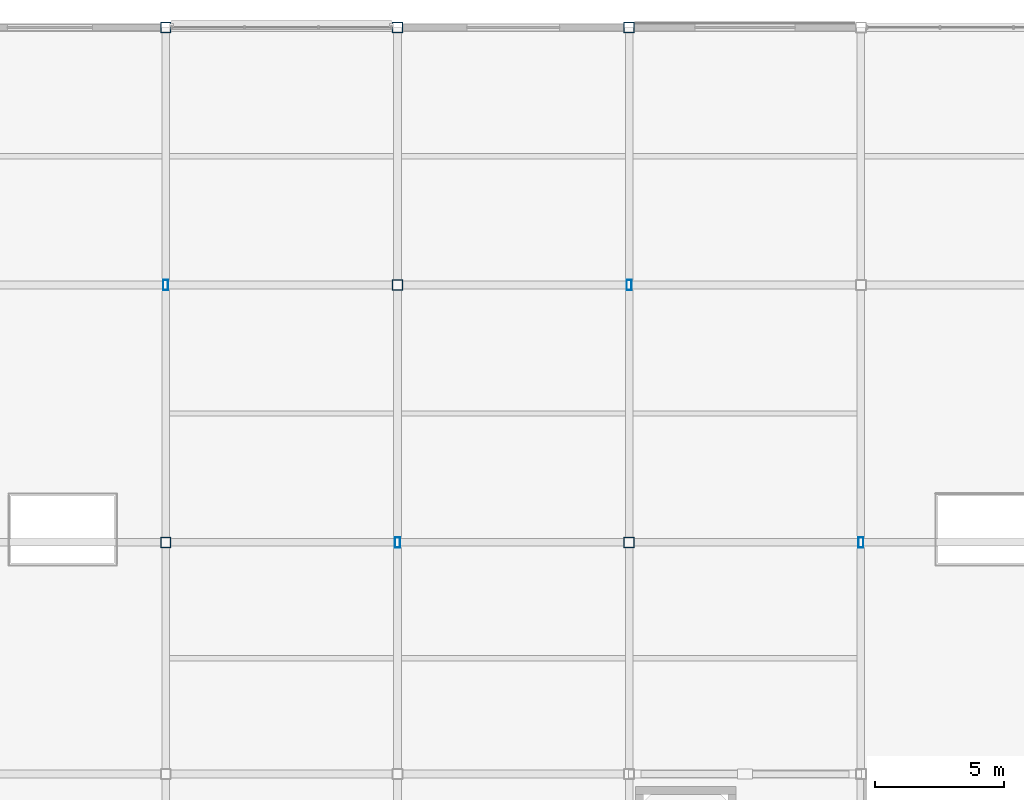
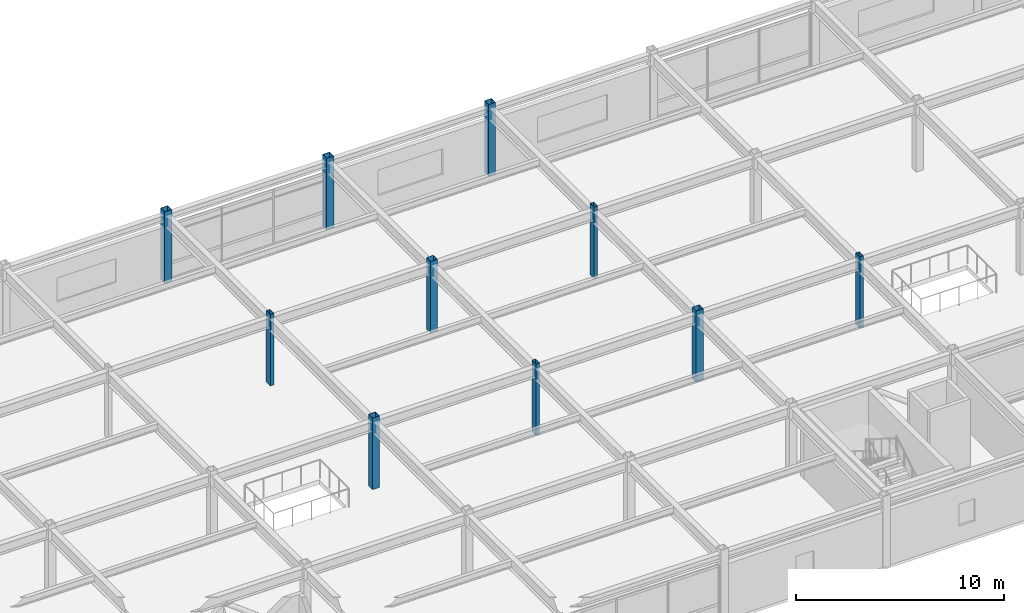
# One storey, part 15 of 108: 10 columns.
"""IFC4 building model written with IfcOpenShell, lengths in metres."""

from ifc_helpers import new_model, si_unit, direction, frame, origin, origin_2d, place, context, subcontext, project, spatial, hollow_rectangle, extrude, material, material_profile, profile_set, type_object, element, save


model = new_model("IFC4")

# Units and contexts
model_context = context("Model", 3, precision=1e-05, world=origin(), true_north=direction((0.0, 1.0)))
body_context = subcontext(model_context, "Body", "Model", "MODEL_VIEW")
ifc_project = project(units=[si_unit("LENGTHUNIT", "METRE"), si_unit("AREAUNIT", "SQUARE_METRE"), si_unit("VOLUMEUNIT", "CUBIC_METRE"), si_unit("PLANEANGLEUNIT", "RADIAN"), si_unit("MASSUNIT", "GRAM", prefix="KILO")], contexts=[model_context])

# Site, building, storey
site_placement = place(None, origin())
site = spatial("IfcSite", under=ifc_project, at=site_placement, CompositionType="ELEMENT")
building_placement = place(site_placement, origin())
building = spatial("IfcBuilding", under=site, at=building_placement, Name="Suzunagisa Mobility Hub", CompositionType="ELEMENT")
storey_placement = place(building_placement, frame((0.0, 0.0, 9.300048828125)))
storey = spatial("IfcBuildingStorey", under=building, at=storey_placement, Name="L02", CompositionType="ELEMENT", Elevation=9.300048828125)

# Columns
ifc_material = material(Name="Steel SN490B", Category="steel")
ifc_material_profile_1 = material_profile(ifc_material, hollow_rectangle(XDim=0.199951171875, YDim=0.39990234375, WallThickness=0.011962890625, at=origin_2d()), Name="RHS-400x200x12")
ifc_profile_set_1 = profile_set([ifc_material_profile_1], Name="Steel SN490B")
column_type_1 = type_object("IfcColumnType", Name="Steel Column CL-03 RHS-400x200x12", PredefinedType="COLUMN", material=ifc_profile_set_1)
for number, where, z_axis, x_axis, name in (
    (1, (72.0, 108.0, 0.0), (0.0, 0.0, 1.0), (1.0, 0.0, 0.0), "L02 Column 157"),
    (2, (81.0, 98.0, 0.0), (0.0, 0.0, 1.0), (1.0, 0.0, 0.0), "L02 Column 173"),
    (3, (90.0, 108.0, 0.0), (0.0, 0.0, 1.0), (1.0, 0.0, 0.0), "L02 Column 189"),
    (4, (99.0, 98.0, 0.0), (0.0, 0.0, 1.0), (1.0, 0.0, 0.0), "L02 Column 197"),
):
    element("IfcColumn", number, at=place(storey_placement, frame(where, z_axis=z_axis, x_axis=x_axis)), inside=storey, type_object=column_type_1, Name=name, PredefinedType="COLUMN", context=body_context, shape_type="SweptSolid", body=[
        extrude(hollow_rectangle(XDim=0.199951171875, YDim=0.39990234375, WallThickness=0.011962890625, at=origin_2d()), origin(), (0.0, 0.0, 1.0), 4.199951171875),
    ])
ifc_material_profile_2 = material_profile(ifc_material, hollow_rectangle(XDim=0.39990234375, YDim=0.39990234375, WallThickness=0.01904296875, at=origin_2d()), Name="BCR-400x400x19")
ifc_profile_set_2 = profile_set([ifc_material_profile_2], Name="Steel SN490B")
column_type_2 = type_object("IfcColumnType", Name="Steel Column CL-13 BCR-400x400x19", PredefinedType="COLUMN", material=ifc_profile_set_2)
for number, where, z_axis, x_axis, name in (
    (5, (72.0, 98.0, 0.0), (0.0, 0.0, 1.0), (1.0, 0.0, 0.0), "L02 Column 156"),
    (6, (72.0, 118.0, 0.0), (0.0, 0.0, 1.0), (1.0, 0.0, 0.0), "L02 Column 158"),
    (7, (81.0, 108.0, 0.0), (0.0, 0.0, 1.0), (1.0, 0.0, 0.0), "L02 Column 174"),
    (8, (81.0, 118.0, 0.0), (0.0, 0.0, 1.0), (1.0, 0.0, 0.0), "L02 Column 175"),
    (9, (90.0, 98.0, 0.0), (0.0, 0.0, 1.0), (1.0, 0.0, 0.0), "L02 Column 188"),
    (10, (90.0, 118.0, 0.0), (0.0, 0.0, 1.0), (1.0, 0.0, 0.0), "L02 Column 190"),
):
    element("IfcColumn", number, at=place(storey_placement, frame(where, z_axis=z_axis, x_axis=x_axis)), inside=storey, type_object=column_type_2, Name=name, PredefinedType="COLUMN", context=body_context, shape_type="SweptSolid", body=[
        extrude(hollow_rectangle(XDim=0.39990234375, YDim=0.39990234375, WallThickness=0.01904296875, at=origin_2d()), origin(), (0.0, 0.0, 1.0), 4.199951171875),
    ])

save(model, "model.ifc")
